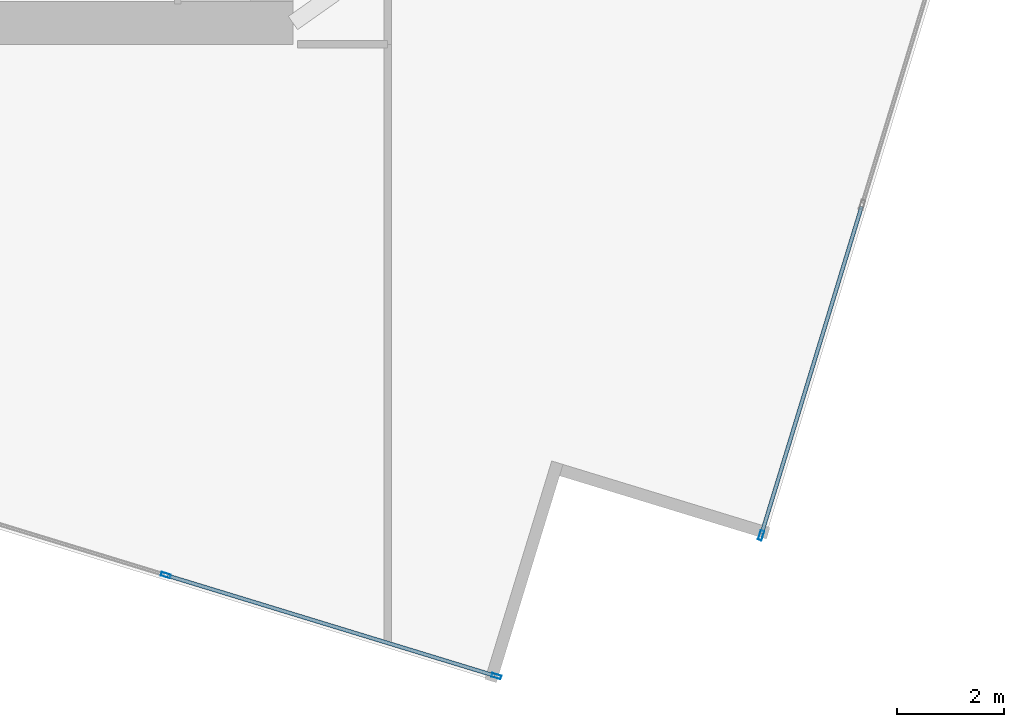
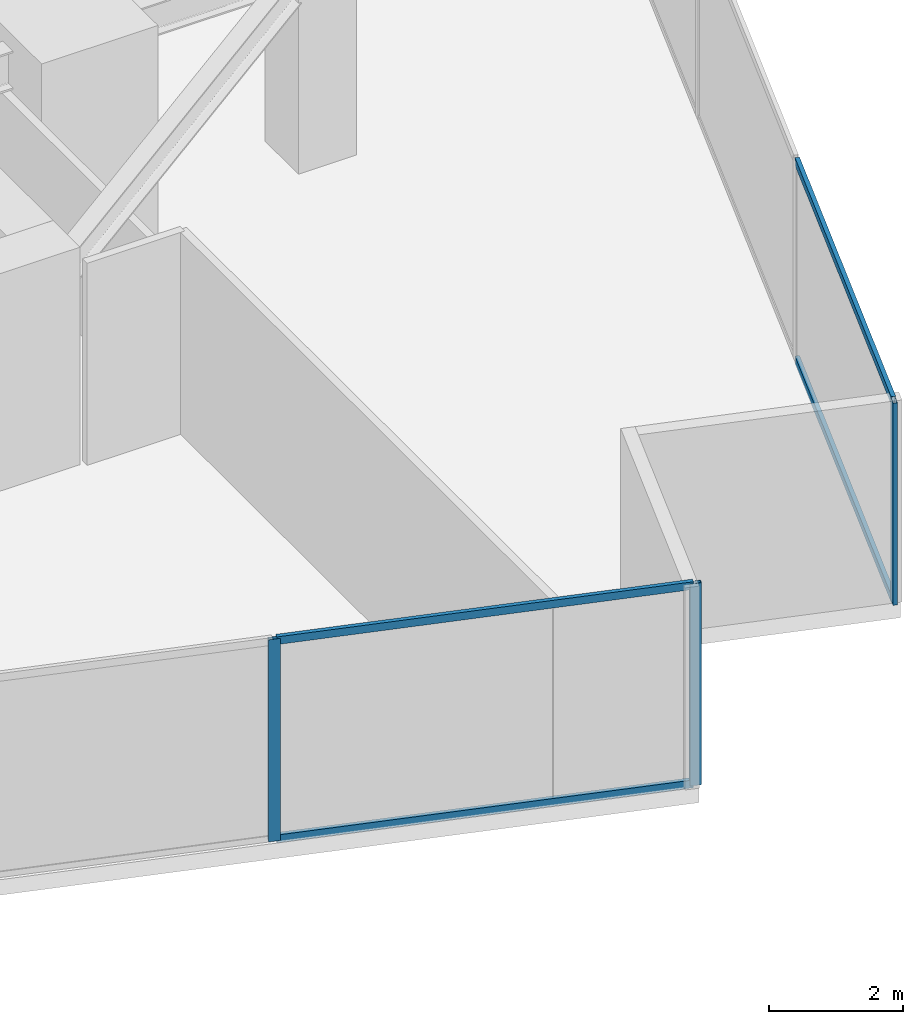
# One storey, part 9 of 26: 7 members, 2 elements without a shape of their own.
"""IFC4 building model written with IfcOpenShell, lengths in metres."""

from ifc_helpers import new_model, si_unit, direction, frame, origin, origin_2d, place, context, subcontext, project, spatial, hollow_rectangle, extrude, source, transform, mapped, material, material_profile, profile_set, type_object, type_shapes, element, aggregate, save


model = new_model("IFC4")

# Units and contexts
model_context = context("Model", 3, precision=1e-05, world=origin(), true_north=direction((0.0, 1.0)))
body_context = subcontext(model_context, "Body", "Model", "MODEL_VIEW")
ifc_project = project(units=[si_unit("LENGTHUNIT", "METRE"), si_unit("AREAUNIT", "SQUARE_METRE"), si_unit("VOLUMEUNIT", "CUBIC_METRE"), si_unit("PLANEANGLEUNIT", "RADIAN"), si_unit("MASSUNIT", "GRAM", prefix="KILO")], contexts=[model_context])

# Site, building, storey
site_placement = place(None, origin())
site = spatial("IfcSite", under=ifc_project, at=site_placement, CompositionType="ELEMENT")
building_placement = place(site_placement, origin())
building = spatial("IfcBuilding", under=site, at=building_placement, Name="Krantzveldt Concourse Tower", CompositionType="ELEMENT")
storey_placement = place(building_placement, frame((0.0, 0.0, 113.75)))
storey = spatial("IfcBuildingStorey", under=building, at=storey_placement, Name="L27", CompositionType="ELEMENT", Elevation=113.75)

# Curtain wall, members
ifc_material = material(Name="Anodised aluminium 6063-T6", Category="aluminium")
curtain_wall_type = type_object("IfcCurtainWallType", Name="CW2", PredefinedType="USERDEFINED", material=ifc_material)
curtain_wall_1_placement = place(storey_placement, origin())
curtain_wall_1 = element("IfcCurtainWall", 1, at=curtain_wall_1_placement, inside=storey, type_object=curtain_wall_type, Name="CW-L27-F04", ObjectType="UNITISED CURTAIN WALL", PredefinedType="USERDEFINED")
ifc_material_profile_1 = material_profile(ifc_material, hollow_rectangle(XDim=0.070068359375, YDim=0.179931640625, WallThickness=0.0048828125, at=origin_2d()), Name="Anodised aluminium 6063-T6", Category="aluminium")
ifc_profile_set_1 = profile_set([ifc_material_profile_1], Name="Anodised aluminium 6063-T6 - ALU-MULL 180x70x5")
member_type_1 = type_object("IfcMemberType", Name="CW-MUL-180", PredefinedType="MULLION", material=ifc_profile_set_1)
shared_shape_1 = source(origin(), body_context, "Body", "SweptSolid", [
    extrude(hollow_rectangle(XDim=0.070068359375, YDim=0.179931640625, WallThickness=0.0048828125, at=origin_2d()), origin(), (0.0, 0.0, 1.0), 3.669921875),
])
type_shapes(member_type_1, [shared_shape_1])
member_1_placement = place(storey_placement, frame((41.552978515625, 0.627197265625, 0.0), z_axis=(0.0, 0.0, 1.0), x_axis=(0.292371686864, 0.956304761423, 0.0)))
member_1 = element("IfcMember", 2, at=member_1_placement, type_object=member_type_1, Name="CW-Z12 mullion 6", PredefinedType="MULLION", context=body_context, shape_type="MappedRepresentation", body=[
    mapped(shared_shape_1, transform((0.0, 0.0, 0.0), x_axis=(1.0, 0.0, 0.0), y_axis=(0.0, 1.0, 0.0), z_axis=(0.0, 0.0, 1.0), scale=1.0)),
])
member_2_placement = place(storey_placement, frame((47.70361328125, -1.253173828125, 0.0), z_axis=(0.0, 0.0, 1.0), x_axis=(0.292371686864, 0.956304761423, 0.0)))
member_2 = element("IfcMember", 3, at=member_2_placement, type_object=member_type_1, Name="CW-Z12 mullion 7", PredefinedType="MULLION", context=body_context, shape_type="MappedRepresentation", body=[
    mapped(shared_shape_1, transform((0.0, 0.0, 0.0), x_axis=(1.0, 0.0, 0.0), y_axis=(0.0, 1.0, 0.0), z_axis=(0.0, 0.0, 1.0), scale=1.0)),
])

# Curtain wall, member
curtain_wall_2_placement = place(storey_placement, origin())
curtain_wall_2 = element("IfcCurtainWall", 4, at=curtain_wall_2_placement, inside=storey, type_object=curtain_wall_type, Name="CW-L27-F07", ObjectType="UNITISED CURTAIN WALL", PredefinedType="USERDEFINED")
member_3_placement = place(storey_placement, frame((52.629638671875, 1.365966796875, 0.0), z_axis=(0.0, 0.0, 1.0), x_axis=(-0.956304761423, 0.292371686864, 0.0)))
member_3 = element("IfcMember", 5, at=member_3_placement, type_object=member_type_1, Name="CW-Z12 mullion 1", PredefinedType="MULLION", context=body_context, shape_type="MappedRepresentation", body=[
    mapped(shared_shape_1, transform((0.0, 0.0, 0.0), x_axis=(1.0, 0.0, 0.0), y_axis=(0.0, 1.0, 0.0), z_axis=(0.0, 0.0, 1.0), scale=1.0)),
])

# Member
ifc_material_profile_2 = material_profile(ifc_material, hollow_rectangle(XDim=0.070068359375, YDim=0.139892578125, WallThickness=0.0048828125, at=origin_2d()), Name="Anodised aluminium 6063-T6", Category="aluminium")
ifc_profile_set_2 = profile_set([ifc_material_profile_2], Name="Anodised aluminium 6063-T6 - ALU-TRAN 140x70x5")
member_type_2 = type_object("IfcMemberType", Name="CW-TRN-150", PredefinedType="USERDEFINED", material=ifc_profile_set_2)
shared_shape_2 = source(origin(), body_context, "Body", "SweptSolid", [
    extrude(hollow_rectangle(XDim=0.070068359375, YDim=0.139892578125, WallThickness=0.0048828125, at=origin_2d()), origin(), (0.0, 0.0, 1.0), 6.361572265625),
])
member_4_placement = place(storey_placement, frame((41.58642578125, 0.616943359375, 0.034912109375), z_axis=(0.956310151395, -0.292354056476, 0.0), x_axis=(0.292354056476, 0.956310151395, 0.0)))
member_4 = element("IfcMember", 6, at=member_4_placement, type_object=member_type_2, Name="CW-Z12 transom 6.1", ObjectType="TRANSOM", PredefinedType="USERDEFINED", context=body_context, shape_type="MappedRepresentation", body=[
    mapped(shared_shape_2, transform((0.0, 0.0, 0.0), x_axis=(1.0, 0.0, 0.0), y_axis=(0.0, 1.0, 0.0), z_axis=(0.0, 0.0, 1.0), scale=1.0)),
])

member_5_placement = place(storey_placement, frame((41.58642578125, 0.616943359375, 3.635009765625), z_axis=(0.956310151395, -0.292354056476, 0.0), x_axis=(0.292354056476, 0.956310151395, 0.0)))
member_5 = element("IfcMember", 7, at=member_5_placement, type_object=member_type_2, Name="CW-Z12 transom 6.2", ObjectType="TRANSOM", PredefinedType="USERDEFINED", context=body_context, shape_type="MappedRepresentation", body=[
    mapped(shared_shape_2, transform((0.0, 0.0, 0.0), x_axis=(1.0, 0.0, 0.0), y_axis=(0.0, 1.0, 0.0), z_axis=(0.0, 0.0, 1.0), scale=1.0)),
])

aggregate(curtain_wall_1, [member_1, member_2, member_4, member_5])

shared_shape_3 = source(origin(), body_context, "Body", "SweptSolid", [
    extrude(hollow_rectangle(XDim=0.070068359375, YDim=0.139892578125, WallThickness=0.0048828125, at=origin_2d()), origin(), (0.0, 0.0, 1.0), 6.36181640625),
])
type_shapes(member_type_2, [shared_shape_2, shared_shape_3])
member_6_placement = place(storey_placement, frame((52.639892578125, 1.3994140625, 0.034912109375), z_axis=(0.292389152537, 0.956299421457, 0.0), x_axis=(-0.956299421457, 0.292389152537, 0.0)))
member_6 = element("IfcMember", 8, at=member_6_placement, type_object=member_type_2, Name="CW-Z12 transom 1.1", ObjectType="TRANSOM", PredefinedType="USERDEFINED", context=body_context, shape_type="MappedRepresentation", body=[
    mapped(shared_shape_3, transform((0.0, 0.0, 0.0), x_axis=(1.0, 0.0, 0.0), y_axis=(0.0, 1.0, 0.0), z_axis=(0.0, 0.0, 1.0), scale=1.0)),
])

member_7_placement = place(storey_placement, frame((52.639892578125, 1.3994140625, 3.635009765625), z_axis=(0.292389152537, 0.956299421457, 0.0), x_axis=(-0.956299421457, 0.292389152537, 0.0)))
member_7 = element("IfcMember", 9, at=member_7_placement, type_object=member_type_2, Name="CW-Z12 transom 1.2", ObjectType="TRANSOM", PredefinedType="USERDEFINED", context=body_context, shape_type="MappedRepresentation", body=[
    mapped(shared_shape_3, transform((0.0, 0.0, 0.0), x_axis=(1.0, 0.0, 0.0), y_axis=(0.0, 1.0, 0.0), z_axis=(0.0, 0.0, 1.0), scale=1.0)),
])

aggregate(curtain_wall_2, [member_3, member_6, member_7])

save(model, "model.ifc")
